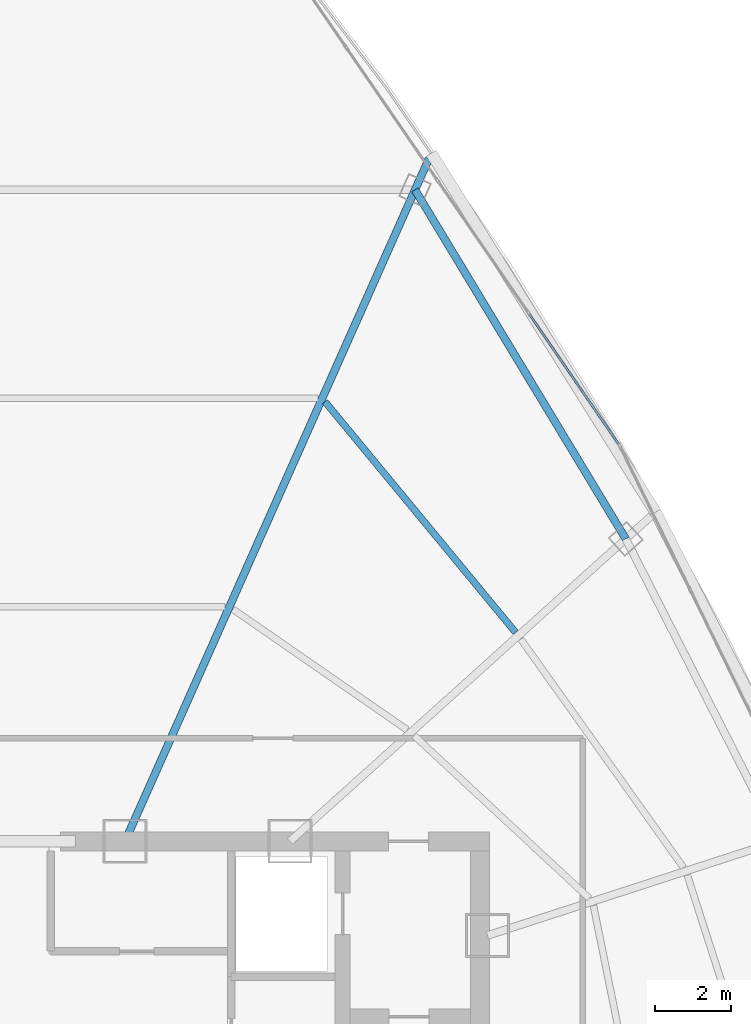
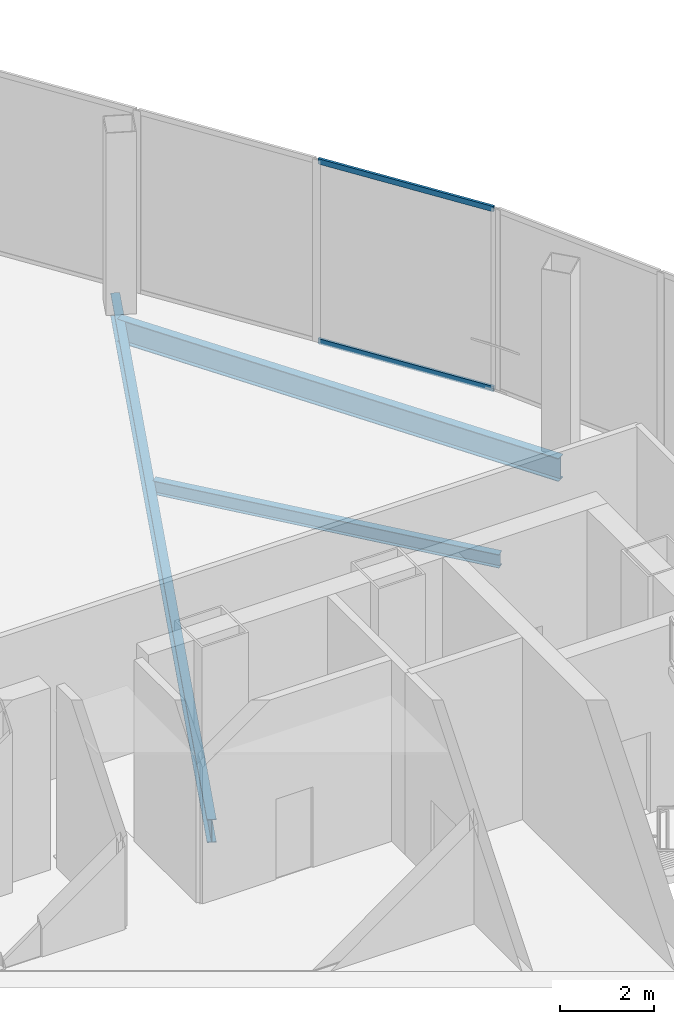
# One storey, part 21 of 33: 3 beams, 2 members, 1 element without a shape of its own.
"""IFC4 building model written with IfcOpenShell, lengths in metres."""

from ifc_helpers import new_model, si_unit, direction, frame, origin, origin_2d, place, context, subcontext, project, spatial, hollow_rectangle, i_section, extrude, source, transform, mapped, material, layer, layer_set, material_profile, profile_set, type_object, element, aggregate, save


model = new_model("IFC4")

# Units and contexts
model_context = context("Model", 3, precision=1e-05, world=origin(), true_north=direction((0.0, 1.0)))
body_context = subcontext(model_context, "Body", "Model", "MODEL_VIEW")
ifc_project = project(units=[si_unit("LENGTHUNIT", "METRE"), si_unit("AREAUNIT", "SQUARE_METRE"), si_unit("VOLUMEUNIT", "CUBIC_METRE"), si_unit("PLANEANGLEUNIT", "RADIAN"), si_unit("MASSUNIT", "GRAM", prefix="KILO"), si_unit("THERMODYNAMICTEMPERATUREUNIT", "KELVIN"), si_unit("POWERUNIT", "WATT")], contexts=[model_context])

# Site, building, storey
site_placement = place(None, origin())
site = spatial("IfcSite", under=ifc_project, at=site_placement, CompositionType="ELEMENT")
building_placement = place(site_placement, origin())
building = spatial("IfcBuilding", under=site, at=building_placement, Name="Yunzhuo Pagoda Commons", CompositionType="ELEMENT")
storey_placement = place(building_placement, frame((0.0, 0.0, 391.760009765625)))
storey = spatial("IfcBuildingStorey", under=building, at=storey_placement, Name="L97", CompositionType="ELEMENT", Elevation=391.760009765625)

# Beams
ifc_material_1 = material(Name="Structural steel Q355B", Category="steel")
ifc_material_profile_1 = material_profile(ifc_material_1, i_section(OverallWidth=0.199951171875, OverallDepth=0.60009765625, WebThickness=0.010986328125, FlangeThickness=0.01708984375, at=origin_2d()), Name="Structural steel Q355B")
ifc_profile_set_1 = profile_set([ifc_material_profile_1], Name="Structural steel Q355B")
beam_type_1 = type_object("IfcBeamType", Name="B-RG3 Beam HN 600x200x11x17", PredefinedType="BEAM", material=ifc_profile_set_1)
shared_shape_1 = source(origin(), body_context, "Body", "SweptSolid", [
    extrude(i_section(OverallWidth=0.199951171875, OverallDepth=0.60009765625, WebThickness=0.010986328125, FlangeThickness=0.01708984375, at=origin_2d()), origin(), (0.0, 0.0, 1.0), 10.691162109375),
])
beam_1_placement = place(storey_placement, frame((64.024658203125, 48.128662109375, -0.580078125), z_axis=(-0.516864678433, 0.856067114301, 0.0), x_axis=(-0.856067114301, -0.516864678433, 0.0)))
element("IfcBeam", 1, at=beam_1_placement, inside=storey, type_object=beam_type_1, Name="L97 column-ring beam 7", PredefinedType="BEAM", context=body_context, shape_type="MappedRepresentation", body=[
    mapped(shared_shape_1, transform((0.0, 0.0, 0.0), scale=1.0)),
])
ifc_material_profile_2 = material_profile(ifc_material_1, i_section(OverallWidth=0.175048828125, OverallDepth=0.35009765625, WebThickness=0.007080078125, FlangeThickness=0.010986328125, at=origin_2d()), Name="Structural steel Q355B")
ifc_profile_set_2 = profile_set([ifc_material_profile_2], Name="Structural steel Q355B")
beam_type_2 = type_object("IfcBeamType", Name="B-JS2 Joist HN 350x175x7x11", PredefinedType="JOIST", material=ifc_profile_set_2)
shared_shape_2 = source(origin(), body_context, "Body", "SweptSolid", [
    extrude(i_section(OverallWidth=0.175048828125, OverallDepth=0.35009765625, WebThickness=0.007080078125, FlangeThickness=0.010986328125, at=origin_2d()), origin(), (0.0, 0.0, 1.0), 7.842529296875),
])
beam_2_placement = place(storey_placement, frame((61.133544921875, 45.68017578125, -0.455078125), z_axis=(-0.636899145749, 0.770947130577, 0.0), x_axis=(-0.770947130577, -0.636899145749, 0.0)))
element("IfcBeam", 2, at=beam_2_placement, inside=storey, type_object=beam_type_2, Name="L97 composite ring joist 2.7", PredefinedType="JOIST", context=body_context, shape_type="MappedRepresentation", body=[
    mapped(shared_shape_2, transform((0.0, 0.0, 0.0), scale=1.0)),
])
shared_shape_3 = source(origin(), body_context, "Body", "SweptSolid", [
    extrude(i_section(OverallWidth=0.199951171875, OverallDepth=0.60009765625, WebThickness=0.010986328125, FlangeThickness=0.01708984375, at=origin_2d()), origin(), (0.0, 0.0, 1.0), 19.59228515625),
])
beam_3_placement = place(storey_placement, frame((58.86279296875, 58.098388671875, -0.580078125), z_axis=(-0.406730347382, -0.91354826064, 0.0), x_axis=(0.91354826064, -0.406730347382, 0.0)))
element("IfcBeam", 3, at=beam_3_placement, inside=storey, type_object=beam_type_1, Name="L97 radial floor girder F2C4", PredefinedType="BEAM", context=body_context, shape_type="MappedRepresentation", body=[
    mapped(shared_shape_3, transform((0.0, 0.0, 0.0), scale=1.0)),
])

# Curtain wall, members
ifc_material_2 = material(Name="Anodized aluminium 6063-T6", Category="aluminium")
ifc_layer = layer(ifc_material_2, 0.179931640625)
ifc_layer_set = layer_set([ifc_layer], Name="Anodized aluminium 6063-T6")
curtain_wall_type = type_object("IfcCurtainWallType", Name="CW-CRN Crown Gable Glazing System", PredefinedType="NOTDEFINED", material=ifc_layer_set)
curtain_wall_placement = place(storey_placement, origin())
curtain_wall = element("IfcCurtainWall", 4, at=curtain_wall_placement, inside=storey, type_object=curtain_wall_type, Name="L97 curtain wall CW-L97-CRNF2G2", PredefinedType="NOTDEFINED")
ifc_material_profile_3 = material_profile(ifc_material_2, hollow_rectangle(XDim=0.06005859375, YDim=0.139892578125, WallThickness=0.00341796875, at=origin_2d()), Name="Anodized aluminium 6063-T6")
ifc_profile_set_3 = profile_set([ifc_material_profile_3], Name="Anodized aluminium 6063-T6")
member_type = type_object("IfcMemberType", Name="CW-CRN-T Transom RHS 140x60x3.5", PredefinedType="USERDEFINED", material=ifc_profile_set_3)
shared_shape_4 = source(origin(), body_context, "Body", "SweptSolid", [
    extrude(hollow_rectangle(XDim=0.06005859375, YDim=0.139892578125, WallThickness=0.00341796875, at=origin_2d()), origin(), (0.0, 0.0, 1.0), 4.125244140625),
])
member_1_placement = place(storey_placement, frame((63.82861328125, 50.6259765625, 0.030029296875), z_axis=(-0.566146975172, 0.824304314258, 0.0), x_axis=(-0.824304314258, -0.566146975172, 0.0)))
member_1 = element("IfcMember", 5, at=member_1_placement, type_object=member_type, Name="CW transom 1.1", ObjectType="TRANSOM", PredefinedType="USERDEFINED", context=body_context, shape_type="MappedRepresentation", body=[
    mapped(shared_shape_4, transform((0.0, 0.0, 0.0), scale=1.0)),
])
member_2_placement = place(storey_placement, frame((63.82861328125, 50.6259765625, 4.68994140625), z_axis=(-0.566146975172, 0.824304314258, 0.0), x_axis=(-0.824304314258, -0.566146975172, 0.0)))
member_2 = element("IfcMember", 6, at=member_2_placement, type_object=member_type, Name="CW transom 1.2", ObjectType="TRANSOM", PredefinedType="USERDEFINED", context=body_context, shape_type="MappedRepresentation", body=[
    mapped(shared_shape_4, transform((0.0, 0.0, 0.0), scale=1.0)),
])
aggregate(curtain_wall, [member_1, member_2])

save(model, "model.ifc")
